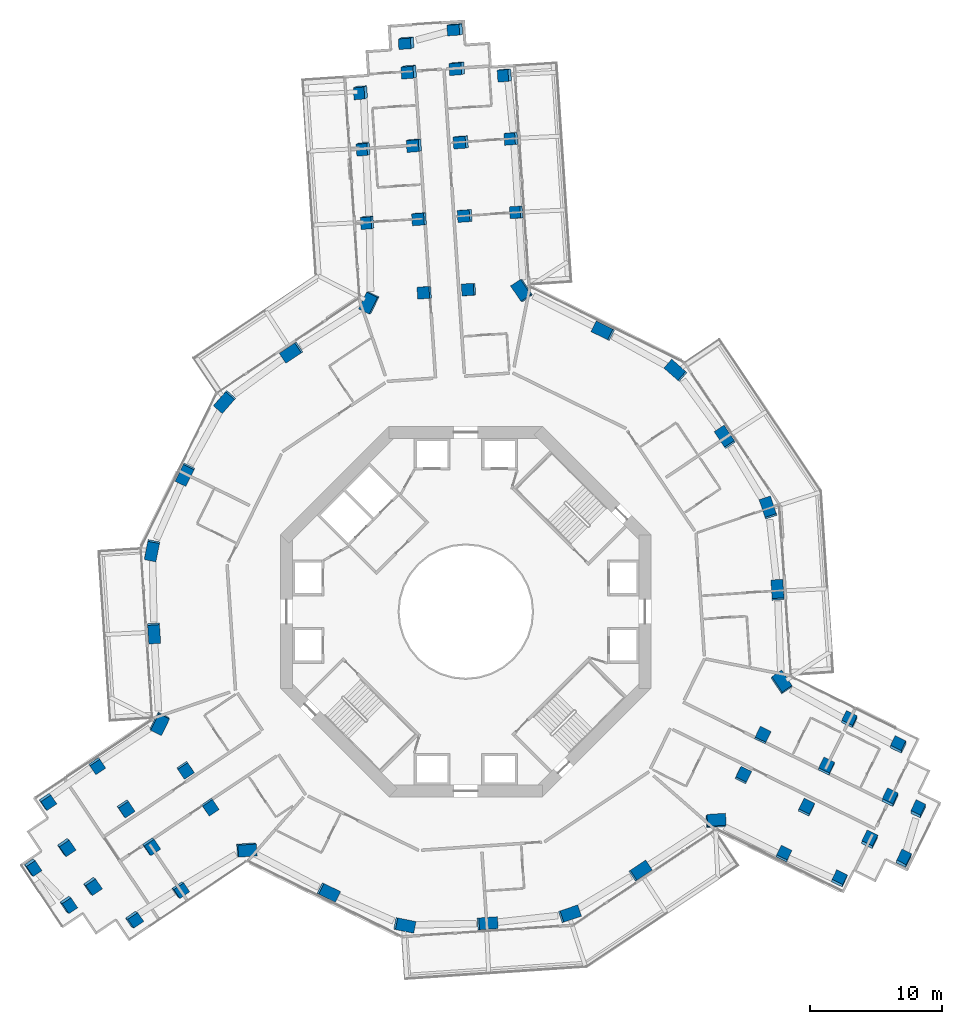
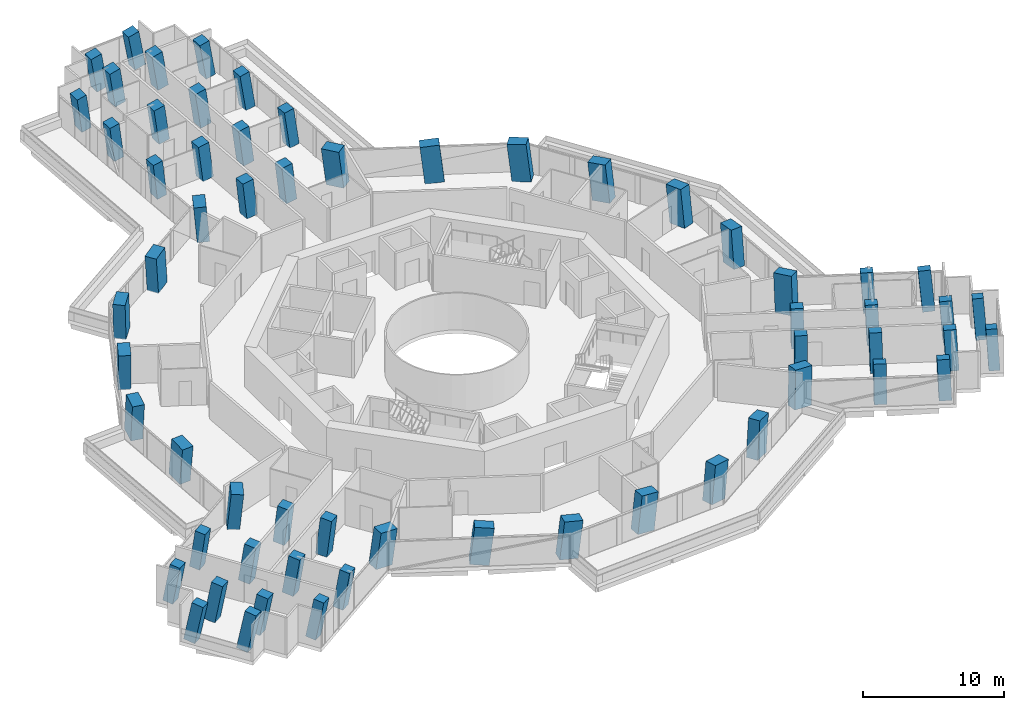
# One storey, part 1 of 25: 61 columns.
"""IFC4 building model written with IfcOpenShell, lengths in metres."""

from ifc_helpers import new_model, si_unit, direction, frame, origin, origin_2d, place, context, subcontext, project, spatial, rectangle, extrude, material, material_profile, profile_set, type_object, element, save


model = new_model("IFC4")

# Units and contexts
model_context = context("Model", 3, precision=1e-05, world=origin(), true_north=direction((0.0, 1.0)))
body_context = subcontext(model_context, "Body", "Model", "MODEL_VIEW")
ifc_project = project(units=[si_unit("LENGTHUNIT", "METRE"), si_unit("AREAUNIT", "SQUARE_METRE"), si_unit("VOLUMEUNIT", "CUBIC_METRE"), si_unit("PLANEANGLEUNIT", "RADIAN"), si_unit("MASSUNIT", "GRAM", prefix="KILO")], contexts=[model_context])

# Site, building, storey
site_placement = place(None, origin())
site = spatial("IfcSite", under=ifc_project, at=site_placement, CompositionType="ELEMENT")
building_placement = place(site_placement, origin())
building = spatial("IfcBuilding", under=site, at=building_placement, Name="Verdalira Terraces Hotel", CompositionType="ELEMENT")
storey_placement = place(building_placement, frame((0.0, 0.0, 49.5)))
storey = spatial("IfcBuildingStorey", under=building, at=storey_placement, Name="L10", CompositionType="ELEMENT", Elevation=49.5)

# Columns
ifc_material_1 = material(Name="Concrete C80", Category="concrete")
ifc_material_profile_1 = material_profile(ifc_material_1, rectangle(XDim=1.399902, YDim=0.899902, at=origin_2d()), Name="RC 1400X900")
ifc_profile_set_1 = profile_set([ifc_material_profile_1], Name="Concrete C80")
column_type_1 = type_object("IfcColumnType", Name="Column RC 1400X900 C80", PredefinedType="COLUMN", material=ifc_profile_set_1)
column_1_placement = place(storey_placement, frame((-7.26001, 23.351074, 0.0), z_axis=(-0.110754339, -0.035423145, 0.99321633), x_axis=(0.433595077, 0.897517403, 0.080360565)))
element("IfcColumn", 1, at=column_1_placement, inside=storey, type_object=column_type_1, Name="Column C07", PredefinedType="COLUMN", context=body_context, shape_type="SweptSolid", body=[
    extrude(rectangle(XDim=1.399902, YDim=0.899902, at=origin_2d()), origin(), (0.0, 0.0, 1.0), 3.21167),
])
column_2_placement = place(storey_placement, frame((-13.146973, 19.608887, 0.0), z_axis=(-0.092706042, -0.063274346, 0.993681009), x_axis=(-0.825459696, -0.553189961, -0.112237059)))
element("IfcColumn", 2, at=column_2_placement, inside=storey, type_object=column_type_1, Name="Column C08", PredefinedType="COLUMN", context=body_context, shape_type="SweptSolid", body=[
    extrude(rectangle(XDim=1.399902, YDim=0.899902, at=origin_2d()), origin(), (0.0, 0.0, 1.0), 3.210205),
])
column_3_placement = place(storey_placement, frame((-18.182861, 15.895508, 0.0), z_axis=(-0.07488732, -0.087127785, 0.993378396), x_axis=(0.653882627, 0.747822899, 0.114884389)))
element("IfcColumn", 3, at=column_3_placement, inside=storey, type_object=column_type_1, Name="Column C09", PredefinedType="COLUMN", context=body_context, shape_type="SweptSolid", body=[
    extrude(rectangle(XDim=1.399902, YDim=0.899902, at=origin_2d()), origin(), (0.0, 0.0, 1.0), 3.211182),
])
column_4_placement = place(storey_placement, frame((-21.189941, 10.408447, 0.0), z_axis=(-0.048672155, -0.101222872, 0.993672457), x_axis=(-0.438188759, -0.891838808, -0.11231274)))
element("IfcColumn", 4, at=column_4_placement, inside=storey, type_object=column_type_1, Name="Column C10", PredefinedType="COLUMN", context=body_context, shape_type="SweptSolid", body=[
    extrude(rectangle(XDim=1.399902, YDim=0.899902, at=origin_2d()), origin(), (0.0, 0.0, 1.0), 3.210205),
])
column_5_placement = place(storey_placement, frame((-23.69458, 4.674561, 0.0), z_axis=(-0.021287761, -0.11290116, 0.993378155), x_axis=(0.192341107, 0.974579908, 0.114886474)))
element("IfcColumn", 5, at=column_5_placement, inside=storey, type_object=column_type_1, Name="Column C11", PredefinedType="COLUMN", context=body_context, shape_type="SweptSolid", body=[
    extrude(rectangle(XDim=1.399902, YDim=0.899902, at=origin_2d()), origin(), (0.0, 0.0, 1.0), 3.211182),
])
column_6_placement = place(storey_placement, frame((-23.55542, -1.581055, 0.0), z_axis=(0.008441555, -0.112021718, 0.993669902), x_axis=(0.066257297, -0.991458896, -0.112335337)))
element("IfcColumn", 6, at=column_6_placement, inside=storey, type_object=column_type_1, Name="Column C12", PredefinedType="COLUMN", context=body_context, shape_type="SweptSolid", body=[
    extrude(rectangle(XDim=1.399902, YDim=0.899902, at=origin_2d()), origin(), (0.0, 0.0, 1.0), 3.210205),
])
column_7_placement = place(storey_placement, frame((-23.146729, -8.415283, 0.0), z_axis=(0.040968044, -0.109754835, 0.99311404), x_axis=(0.445471066, 0.891699641, 0.080170318)))
element("IfcColumn", 7, at=column_7_placement, inside=storey, type_object=column_type_1, Name="Column C13", PredefinedType="COLUMN", context=body_context, shape_type="SweptSolid", body=[
    extrude(rectangle(XDim=1.399902, YDim=0.899902, at=origin_2d()), origin(), (0.0, 0.0, 1.0), 3.212158),
])
column_8_placement = place(storey_placement, frame((-16.592529, -17.962891, 0.0), z_axis=(0.086049291, -0.078219718, 0.993215583), x_axis=(-0.994079328, -0.073128396, 0.080364969)))
element("IfcColumn", 8, at=column_8_placement, inside=storey, type_object=column_type_1, Name="Column C20", PredefinedType="COLUMN", context=body_context, shape_type="SweptSolid", body=[
    extrude(rectangle(XDim=1.399902, YDim=0.899902, at=origin_2d()), origin(), (0.0, 0.0, 1.0), 3.21167),
])
column_9_placement = place(storey_placement, frame((-10.408447, -21.189941, 0.0), z_axis=(0.101222872, -0.048672155, 0.993672457), x_axis=(0.891838808, -0.438188759, -0.11231274)))
element("IfcColumn", 9, at=column_9_placement, inside=storey, type_object=column_type_1, Name="Column C21", PredefinedType="COLUMN", context=body_context, shape_type="SweptSolid", body=[
    extrude(rectangle(XDim=1.399902, YDim=0.899902, at=origin_2d()), origin(), (0.0, 0.0, 1.0), 3.210205),
])
column_10_placement = place(storey_placement, frame((-4.674561, -23.69458, 0.0), z_axis=(0.11290116, -0.021287761, 0.993378155), x_axis=(-0.974579908, 0.192341107, 0.114886474)))
element("IfcColumn", 10, at=column_10_placement, inside=storey, type_object=column_type_1, Name="Column C22", PredefinedType="COLUMN", context=body_context, shape_type="SweptSolid", body=[
    extrude(rectangle(XDim=1.399902, YDim=0.899902, at=origin_2d()), origin(), (0.0, 0.0, 1.0), 3.211182),
])
column_11_placement = place(storey_placement, frame((1.581055, -23.55542, 0.0), z_axis=(0.112021718, 0.008441555, 0.993669902), x_axis=(0.991458896, 0.066257297, -0.112335337)))
element("IfcColumn", 11, at=column_11_placement, inside=storey, type_object=column_type_1, Name="Column C23", PredefinedType="COLUMN", context=body_context, shape_type="SweptSolid", body=[
    extrude(rectangle(XDim=1.399902, YDim=0.899902, at=origin_2d()), origin(), (0.0, 0.0, 1.0), 3.210205),
])
column_12_placement = place(storey_placement, frame((7.799072, -22.857422, 0.0), z_axis=(0.108415572, 0.038013875, 0.993378583), x_axis=(-0.940181145, -0.320720069, 0.114882776)))
element("IfcColumn", 12, at=column_12_placement, inside=storey, type_object=column_type_1, Name="Column C24", PredefinedType="COLUMN", context=body_context, shape_type="SweptSolid", body=[
    extrude(rectangle(XDim=1.399902, YDim=0.899902, at=origin_2d()), origin(), (0.0, 0.0, 1.0), 3.211182),
])
column_13_placement = place(storey_placement, frame((13.146973, -19.608887, 0.0), z_axis=(0.092706042, 0.063274346, 0.993681009), x_axis=(0.825459696, 0.553189961, -0.112237059)))
element("IfcColumn", 13, at=column_13_placement, inside=storey, type_object=column_type_1, Name="Column C25", PredefinedType="COLUMN", context=body_context, shape_type="SweptSolid", body=[
    extrude(rectangle(XDim=1.399902, YDim=0.899902, at=origin_2d()), origin(), (0.0, 0.0, 1.0), 3.210205),
])
column_14_placement = place(storey_placement, frame((18.861328, -15.837891, 0.0), z_axis=(0.074563781, 0.090297423, 0.993119639), x_axis=(-0.99499079, -0.059759997, 0.080137827)))
element("IfcColumn", 14, at=column_14_placement, inside=storey, type_object=column_type_1, Name="Column C26", PredefinedType="COLUMN", context=body_context, shape_type="SweptSolid", body=[
    extrude(rectangle(XDim=1.399902, YDim=0.899902, at=origin_2d()), origin(), (0.0, 0.0, 1.0), 3.212158),
])
column_15_placement = place(storey_placement, frame((23.852783, -5.388184, 0.0), z_axis=(0.024628968, 0.113642923, 0.993216341), x_axis=(0.560989049, -0.823913514, 0.080360497)))
element("IfcColumn", 15, at=column_15_placement, inside=storey, type_object=column_type_1, Name="Column C33", PredefinedType="COLUMN", context=body_context, shape_type="SweptSolid", body=[
    extrude(rectangle(XDim=1.399902, YDim=0.899902, at=origin_2d()), origin(), (0.0, 0.0, 1.0), 3.21167),
])
column_16_placement = place(storey_placement, frame((23.55542, 1.581055, 0.0), z_axis=(-0.008441555, 0.112021718, 0.993669902), x_axis=(-0.066257297, 0.991458896, -0.112335337)))
element("IfcColumn", 16, at=column_16_placement, inside=storey, type_object=column_type_1, Name="Column C34", PredefinedType="COLUMN", context=body_context, shape_type="SweptSolid", body=[
    extrude(rectangle(XDim=1.399902, YDim=0.899902, at=origin_2d()), origin(), (0.0, 0.0, 1.0), 3.210205),
])
column_17_placement = place(storey_placement, frame((22.857422, 7.799072, 0.0), z_axis=(-0.038013875, 0.108415572, 0.993378583), x_axis=(0.320720069, -0.940181145, 0.114882776)))
element("IfcColumn", 17, at=column_17_placement, inside=storey, type_object=column_type_1, Name="Column C35", PredefinedType="COLUMN", context=body_context, shape_type="SweptSolid", body=[
    extrude(rectangle(XDim=1.399902, YDim=0.899902, at=origin_2d()), origin(), (0.0, 0.0, 1.0), 3.211182),
])
column_18_placement = place(storey_placement, frame((19.608887, 13.146973, 0.0), z_axis=(-0.063274346, 0.092706042, 0.993681009), x_axis=(-0.553189961, 0.825459696, -0.112237059)))
element("IfcColumn", 18, at=column_18_placement, inside=storey, type_object=column_type_1, Name="Column C36", PredefinedType="COLUMN", context=body_context, shape_type="SweptSolid", body=[
    extrude(rectangle(XDim=1.399902, YDim=0.899902, at=origin_2d()), origin(), (0.0, 0.0, 1.0), 3.210205),
])
column_19_placement = place(storey_placement, frame((15.895508, 18.182861, 0.0), z_axis=(-0.087127785, 0.07488732, 0.993378396), x_axis=(0.747822899, -0.653882627, 0.114884389)))
element("IfcColumn", 19, at=column_19_placement, inside=storey, type_object=column_type_1, Name="Column C37", PredefinedType="COLUMN", context=body_context, shape_type="SweptSolid", body=[
    extrude(rectangle(XDim=1.399902, YDim=0.899902, at=origin_2d()), origin(), (0.0, 0.0, 1.0), 3.211182),
])
column_20_placement = place(storey_placement, frame((10.408447, 21.189941, 0.0), z_axis=(-0.101222872, 0.048672155, 0.993672457), x_axis=(-0.891838808, 0.438188759, -0.11231274)))
element("IfcColumn", 20, at=column_20_placement, inside=storey, type_object=column_type_1, Name="Column C38", PredefinedType="COLUMN", context=body_context, shape_type="SweptSolid", body=[
    extrude(rectangle(XDim=1.399902, YDim=0.899902, at=origin_2d()), origin(), (0.0, 0.0, 1.0), 3.210205),
])
column_21_placement = place(storey_placement, frame((4.2854, 24.253418, 0.0), z_axis=(-0.115456489, 0.019382097, 0.993123423), x_axis=(0.549525351, -0.831626922, 0.080115864)))
element("IfcColumn", 21, at=column_21_placement, inside=storey, type_object=column_type_1, Name="Column C39", PredefinedType="COLUMN", context=body_context, shape_type="SweptSolid", body=[
    extrude(rectangle(XDim=1.399902, YDim=0.899902, at=origin_2d()), origin(), (0.0, 0.0, 1.0), 3.211914),
])
ifc_material_2 = material(Name="Concrete C80", Category="concrete")
ifc_material_profile_2 = material_profile(ifc_material_2, rectangle(XDim=0.899902, YDim=0.800049, at=origin_2d()), Name="RC 900X800")
ifc_profile_set_2 = profile_set([ifc_material_profile_2], Name="Concrete C80")
column_type_2 = type_object("IfcColumnType", Name="Column RC 900X800 C80", PredefinedType="COLUMN", material=ifc_profile_set_2)
column_22_placement = place(storey_placement, frame((3.888184, 30.169678, 0.0), z_axis=(-0.141378211, -0.003182146, 0.989950542), x_axis=(-0.066245791, 0.997783739, -0.006253462)))
element("IfcColumn", 22, at=column_22_placement, inside=storey, type_object=column_type_2, Name="Column C01", PredefinedType="COLUMN", context=body_context, shape_type="SweptSolid", body=[
    extrude(rectangle(XDim=0.899902, YDim=0.800049, at=origin_2d()), origin(), (0.0, 0.0, 1.0), 3.222412),
])
column_23_placement = place(storey_placement, frame((3.514404, 35.740479, 0.0), z_axis=(-0.16539803, -0.025428438, 0.985899024), x_axis=(-0.069309244, 0.997495574, 0.014099965)))
element("IfcColumn", 23, at=column_23_placement, inside=storey, type_object=column_type_2, Name="Column C02", PredefinedType="COLUMN", context=body_context, shape_type="SweptSolid", body=[
    extrude(rectangle(XDim=0.899902, YDim=0.800049, at=origin_2d()), origin(), (0.0, 0.0, 1.0), 3.235596),
])
column_24_placement = place(storey_placement, frame((3.031738, 40.541992, 0.0), z_axis=(-0.185536283, -0.047999063, 0.981464405), x_axis=(-0.073598719, 0.996679535, 0.034830047)))
element("IfcColumn", 24, at=column_24_placement, inside=storey, type_object=column_type_2, Name="Column C03", PredefinedType="COLUMN", context=body_context, shape_type="SweptSolid", body=[
    extrude(rectangle(XDim=0.899902, YDim=0.800049, at=origin_2d()), origin(), (0.0, 0.0, 1.0), 3.250244),
])
column_25_placement = place(storey_placement, frame((-7.847656, 39.270508, 0.0), z_axis=(-0.178617656, -0.098749191, 0.978950627), x_axis=(0.082596476, -0.992943836, -0.085090309)))
element("IfcColumn", 25, at=column_25_placement, inside=storey, type_object=column_type_2, Name="Column C04", PredefinedType="COLUMN", context=body_context, shape_type="SweptSolid", body=[
    extrude(rectangle(XDim=0.899902, YDim=0.800049, at=origin_2d()), origin(), (0.0, 0.0, 1.0), 3.258545),
])
column_26_placement = place(storey_placement, frame((-7.6604, 34.990234, 0.0), z_axis=(-0.161138739, -0.077933923, 0.983849892), x_axis=(0.077576177, -0.994793135, -0.066095046)))
element("IfcColumn", 26, at=column_26_placement, inside=storey, type_object=column_type_2, Name="Column C05", PredefinedType="COLUMN", context=body_context, shape_type="SweptSolid", body=[
    extrude(rectangle(XDim=0.899902, YDim=0.800049, at=origin_2d()), origin(), (0.0, 0.0, 1.0), 3.242188),
])
column_27_placement = place(storey_placement, frame((-7.376465, 29.413574, 0.0), z_axis=(-0.137221025, -0.056462705, 0.988929903), x_axis=(0.073632546, -0.996193284, -0.046660369)))
element("IfcColumn", 27, at=column_27_placement, inside=storey, type_object=column_type_2, Name="Column C06", PredefinedType="COLUMN", context=body_context, shape_type="SweptSolid", body=[
    extrude(rectangle(XDim=0.899902, YDim=0.800049, at=origin_2d()), origin(), (0.0, 0.0, 1.0), 3.225586),
])
column_28_placement = place(storey_placement, frame((-27.898682, -11.601562, 0.0), z_axis=(0.081310577, -0.114198546, 0.990124882), x_axis=(-0.830123338, -0.55756643, 0.003862676)))
element("IfcColumn", 28, at=column_28_placement, inside=storey, type_object=column_type_2, Name="Column C14", PredefinedType="COLUMN", context=body_context, shape_type="SweptSolid", body=[
    extrude(rectangle(XDim=0.899902, YDim=0.800049, at=origin_2d()), origin(), (0.0, 0.0, 1.0), 3.22168),
])
column_29_placement = place(storey_placement, frame((-31.642578, -14.304199, 0.0), z_axis=(0.118970942, -0.113913167, 0.986341576), x_axis=(-0.826928521, -0.561221279, 0.03492702)))
element("IfcColumn", 29, at=column_29_placement, inside=storey, type_object=column_type_2, Name="Column C15", PredefinedType="COLUMN", context=body_context, shape_type="SweptSolid", body=[
    extrude(rectangle(XDim=0.899902, YDim=0.800049, at=origin_2d()), origin(), (0.0, 0.0, 1.0), 3.234131),
])
column_30_placement = place(storey_placement, frame((-32.780762, -19.269043, 0.0), z_axis=(0.14200106, -0.118685208, 0.982725557), x_axis=(0.540302255, -0.822555745, -0.177413411)))
element("IfcColumn", 30, at=column_30_placement, inside=storey, type_object=column_type_2, Name="Column C16", PredefinedType="COLUMN", context=body_context, shape_type="SweptSolid", body=[
    extrude(rectangle(XDim=0.899902, YDim=0.800049, at=origin_2d()), origin(), (0.0, 0.0, 1.0), 3.246094),
])
column_31_placement = place(storey_placement, frame((-30.093994, -22.091064, 0.0), z_axis=(0.155009264, -0.105845317, 0.9822265), x_axis=(0.538066576, -0.824790784, -0.173794482)))
element("IfcColumn", 31, at=column_31_placement, inside=storey, type_object=column_type_2, Name="Column C17", PredefinedType="COLUMN", context=body_context, shape_type="SweptSolid", body=[
    extrude(rectangle(XDim=0.899902, YDim=0.800049, at=origin_2d()), origin(), (0.0, 0.0, 1.0), 3.247559),
])
column_32_placement = place(storey_placement, frame((-25.129395, -23.229004, 0.0), z_axis=(0.160491766, -0.082579487, 0.983576647), x_axis=(0.81958914, 0.566433756, -0.086176811)))
element("IfcColumn", 32, at=column_32_placement, inside=storey, type_object=column_type_2, Name="Column C18", PredefinedType="COLUMN", context=body_context, shape_type="SweptSolid", body=[
    extrude(rectangle(XDim=0.899902, YDim=0.800049, at=origin_2d()), origin(), (0.0, 0.0, 1.0), 3.243164),
])
column_33_placement = place(storey_placement, frame((-21.606201, -20.987305, 0.0), z_axis=(0.125366404, -0.083905457, 0.988556088), x_axis=(0.824649594, 0.562783566, -0.056812904)))
element("IfcColumn", 33, at=column_33_placement, inside=storey, type_object=column_type_2, Name="Column C19", PredefinedType="COLUMN", context=body_context, shape_type="SweptSolid", body=[
    extrude(rectangle(XDim=0.899902, YDim=0.800049, at=origin_2d()), origin(), (0.0, 0.0, 1.0), 3.226807),
])
column_34_placement = place(storey_placement, frame((23.996582, -18.360352, 0.0), z_axis=(0.058273597, 0.127535063, 0.990120697), x_axis=(0.897867093, -0.440249652, 0.003863491)))
element("IfcColumn", 34, at=column_34_placement, inside=storey, type_object=column_type_2, Name="Column C27", PredefinedType="COLUMN", context=body_context, shape_type="SweptSolid", body=[
    extrude(rectangle(XDim=0.899902, YDim=0.800049, at=origin_2d()), origin(), (0.0, 0.0, 1.0), 3.22168),
])
column_35_placement = place(storey_placement, frame((28.209229, -20.251221, 0.0), z_axis=(0.039178558, 0.160035729, 0.986333415), x_axis=(0.899494615, -0.435532796, 0.034937381)))
element("IfcColumn", 35, at=column_35_placement, inside=storey, type_object=column_type_2, Name="Column C28", PredefinedType="COLUMN", context=body_context, shape_type="SweptSolid", body=[
    extrude(rectangle(XDim=0.899902, YDim=0.800049, at=origin_2d()), origin(), (0.0, 0.0, 1.0), 3.234131),
])
column_36_placement = place(storey_placement, frame((33.077881, -18.754395, 0.0), z_axis=(0.031739713, 0.182315316, 0.982727692), x_axis=(0.441999799, 0.87929774, -0.177402544)))
element("IfcColumn", 36, at=column_36_placement, inside=storey, type_object=column_type_2, Name="Column C29", PredefinedType="COLUMN", context=body_context, shape_type="SweptSolid", body=[
    extrude(rectangle(XDim=0.899902, YDim=0.800049, at=origin_2d()), origin(), (0.0, 0.0, 1.0), 3.246094),
])
column_37_placement = place(storey_placement, frame((34.178467, -15.016846, 0.0), z_axis=(0.014132511, 0.187255772, 0.982209523), x_axis=(0.445094443, 0.878440563, -0.173876718)))
element("IfcColumn", 37, at=column_37_placement, inside=storey, type_object=column_type_2, Name="Column C30", PredefinedType="COLUMN", context=body_context, shape_type="SweptSolid", body=[
    extrude(rectangle(XDim=0.899902, YDim=0.800049, at=origin_2d()), origin(), (0.0, 0.0, 1.0), 3.247803),
])
column_38_placement = place(storey_placement, frame((32.681641, -10.148193, 0.0), z_axis=(-0.0087323, 0.180216602, 0.983588188), x_axis=(-0.900353624, 0.426546697, -0.086146779)))
element("IfcColumn", 38, at=column_38_placement, inside=storey, type_object=column_type_2, Name="Column C31", PredefinedType="COLUMN", context=body_context, shape_type="SweptSolid", body=[
    extrude(rectangle(XDim=0.899902, YDim=0.800049, at=origin_2d()), origin(), (0.0, 0.0, 1.0), 3.243164),
])
column_39_placement = place(storey_placement, frame((28.978516, -8.217773, 0.0), z_axis=(0.009987, 0.150485935, 0.988561704), x_axis=(-0.899685419, 0.432827929, -0.056799041)))
element("IfcColumn", 39, at=column_39_placement, inside=storey, type_object=column_type_2, Name="Column C32", PredefinedType="COLUMN", context=body_context, shape_type="SweptSolid", body=[
    extrude(rectangle(XDim=0.899902, YDim=0.800049, at=origin_2d()), origin(), (0.0, 0.0, 1.0), 3.226807),
])
column_40_placement = place(storey_placement, frame((-0.698975, 44.01001, 0.0), z_axis=(-0.200858384, -0.065381835, 0.977435995), x_axis=(-0.977339154, -0.054677247, -0.204495909)))
element("IfcColumn", 40, at=column_40_placement, inside=storey, type_object=column_type_2, Name="Column C40", PredefinedType="COLUMN", context=body_context, shape_type="SweptSolid", body=[
    extrude(rectangle(XDim=0.899902, YDim=0.800049, at=origin_2d()), origin(), (0.0, 0.0, 1.0), 3.263672),
])
column_41_placement = place(storey_placement, frame((-4.379639, 43.001221, 0.0), z_axis=(-0.19593553, -0.082562147, 0.977134975), x_axis=(-0.97833702, -0.051448422, -0.200523653)))
element("IfcColumn", 41, at=column_41_placement, inside=storey, type_object=column_type_2, Name="Column C41", PredefinedType="COLUMN", context=body_context, shape_type="SweptSolid", body=[
    extrude(rectangle(XDim=0.899902, YDim=0.800049, at=origin_2d()), origin(), (0.0, 0.0, 1.0), 3.264648),
])
ifc_material_3 = material(Name="Concrete C80", Category="concrete")
ifc_material_profile_3 = material_profile(ifc_material_3, rectangle(XDim=0.899902, YDim=0.899902, at=origin_2d()), Name="RC 900X900")
ifc_profile_set_3 = profile_set([ifc_material_profile_3], Name="Concrete C80")
column_type_3 = type_object("IfcColumnType", Name="Column RC 900X900 C80", PredefinedType="COLUMN", material=ifc_profile_set_3)
for number, where, z_axis, x_axis, name in (
    (42, (0.277588, 24.331543, 0.0), (-0.11570319, 0.000380102, 0.99328376), (-0.065780406, 0.997801697, -0.008044297), "Column C42"),
    (43, (-3.071289, 24.106689, 0.0), (-0.114564155, -0.015508353, 0.993294793), (-0.067324919, 0.99770052, 0.007812051), "Column C43"),
):
    element("IfcColumn", number, at=place(storey_placement, frame(where, z_axis=z_axis, x_axis=x_axis)), inside=storey, type_object=column_type_3, Name=name, PredefinedType="COLUMN", context=body_context, shape_type="SweptSolid", body=[
        extrude(rectangle(XDim=0.899902, YDim=0.899902, at=origin_2d()), origin(), (0.0, 0.0, 1.0), 3.211426),
    ])
column_42_placement = place(storey_placement, frame((-0.000977, 29.908691, 0.0), z_axis=(-0.140009368, -0.021592354, 0.989914717), x_axis=(-0.06878046, 0.997559272, 0.012031081)))
element("IfcColumn", 44, at=column_42_placement, inside=storey, type_object=column_type_3, Name="Column C44", PredefinedType="COLUMN", context=body_context, shape_type="SweptSolid", body=[
    extrude(rectangle(XDim=0.899902, YDim=0.899902, at=origin_2d()), origin(), (0.0, 0.0, 1.0), 3.222412),
])
column_43_placement = place(storey_placement, frame((-3.445312, 29.67749, 0.0), z_axis=(-0.13875341, -0.03786938, 0.989602648), x_axis=(-0.070866168, 0.997086578, 0.028219537)))
element("IfcColumn", 45, at=column_43_placement, inside=storey, type_object=column_type_3, Name="Column C45", PredefinedType="COLUMN", context=body_context, shape_type="SweptSolid", body=[
    extrude(rectangle(XDim=0.899902, YDim=0.899902, at=origin_2d()), origin(), (0.0, 0.0, 1.0), 3.223389),
])
column_44_placement = place(storey_placement, frame((-0.279541, 35.485596, 0.0), z_axis=(-0.163975747, -0.043294424, 0.985513849), x_axis=(-0.07220614, 0.996883302, 0.0317798)))
element("IfcColumn", 46, at=column_44_placement, inside=storey, type_object=column_type_3, Name="Column C46", PredefinedType="COLUMN", context=body_context, shape_type="SweptSolid", body=[
    extrude(rectangle(XDim=0.899902, YDim=0.899902, at=origin_2d()), origin(), (0.0, 0.0, 1.0), 3.236816),
])
column_45_placement = place(storey_placement, frame((-3.819092, 35.248047, 0.0), z_axis=(-0.162661052, -0.059923789, 0.984860661), x_axis=(-0.074728795, 0.996035363, 0.048261394)))
element("IfcColumn", 47, at=column_45_placement, inside=storey, type_object=column_type_3, Name="Column C47", PredefinedType="COLUMN", context=body_context, shape_type="SweptSolid", body=[
    extrude(rectangle(XDim=0.899902, YDim=0.899902, at=origin_2d()), origin(), (0.0, 0.0, 1.0), 3.239014),
])
column_46_placement = place(storey_placement, frame((-0.558105, 41.062744, 0.0), z_axis=(-0.187533048, -0.064736408, 0.980122724), x_axis=(-0.076631345, 0.995748863, 0.051106146)))
element("IfcColumn", 48, at=column_46_placement, inside=storey, type_object=column_type_3, Name="Column C48", PredefinedType="COLUMN", context=body_context, shape_type="SweptSolid", body=[
    extrude(rectangle(XDim=0.899902, YDim=0.899902, at=origin_2d()), origin(), (0.0, 0.0, 1.0), 3.254639),
])
column_47_placement = place(storey_placement, frame((-4.193115, 40.818848, 0.0), z_axis=(-0.186069039, -0.081756472, 0.979129303), x_axis=(-0.080065475, 0.994479546, 0.067822946)))
element("IfcColumn", 49, at=column_47_placement, inside=storey, type_object=column_type_3, Name="Column C49", PredefinedType="COLUMN", context=body_context, shape_type="SweptSolid", body=[
    extrude(rectangle(XDim=0.899902, YDim=0.899902, at=origin_2d()), origin(), (0.0, 0.0, 1.0), 3.258057),
])
for number, where, z_axis, x_axis, name in (
    (50, (-21.210449, -11.925293, 0.0), (0.05754725, -0.100422612, 0.993279222), (-0.831201291, -0.555913357, -0.008047005), "Column C50"),
    (51, (-19.341309, -14.713135, 0.0), (0.070700449, -0.091378429, 0.993303292), (-0.830174181, -0.55744944, 0.007807115), "Column C51"),
):
    element("IfcColumn", number, at=place(storey_placement, frame(where, z_axis=z_axis, x_axis=x_axis)), inside=storey, type_object=column_type_3, Name=name, PredefinedType="COLUMN", context=body_context, shape_type="SweptSolid", body=[
        extrude(rectangle(XDim=0.899902, YDim=0.899902, at=origin_2d()), origin(), (0.0, 0.0, 1.0), 3.211426),
    ])
column_48_placement = place(storey_placement, frame((-25.726807, -14.841309, 0.0), z_axis=(0.096595654, -0.103792978, 0.989897115), x_axis=(-0.828464756, -0.559602323, 0.022167257)))
element("IfcColumn", 52, at=column_48_placement, inside=storey, type_object=column_type_3, Name="Column C52", PredefinedType="COLUMN", context=body_context, shape_type="SweptSolid", body=[
    extrude(rectangle(XDim=0.899902, YDim=0.899902, at=origin_2d()), origin(), (0.0, 0.0, 1.0), 3.222412),
])
column_49_placement = place(storey_placement, frame((-23.805664, -17.706299, 0.0), z_axis=(0.109953104, -0.094580873, 0.989426487), x_axis=(-0.827169741, -0.560643476, 0.038329004)))
element("IfcColumn", 53, at=column_49_placement, inside=storey, type_object=column_type_3, Name="Column C53", PredefinedType="COLUMN", context=body_context, shape_type="SweptSolid", body=[
    extrude(rectangle(XDim=0.899902, YDim=0.899902, at=origin_2d()), origin(), (0.0, 0.0, 1.0), 3.224121),
])
column_50_placement = place(storey_placement, frame((-30.24292, -17.756836, 0.0), z_axis=(0.135097034, -0.107052337, 0.985032278), x_axis=(-0.824596516, -0.563338321, 0.051870239)))
element("IfcColumn", 54, at=column_50_placement, inside=storey, type_object=column_type_3, Name="Column C54", PredefinedType="COLUMN", context=body_context, shape_type="SweptSolid", body=[
    extrude(rectangle(XDim=0.899902, YDim=0.899902, at=origin_2d()), origin(), (0.0, 0.0, 1.0), 3.238525),
])
column_51_placement = place(storey_placement, frame((-28.27002, -20.699463, 0.0), z_axis=(0.148745351, -0.097531762, 0.984054051), x_axis=(-0.822232105, -0.565041467, 0.068282543)))
element("IfcColumn", 55, at=column_51_placement, inside=storey, type_object=column_type_3, Name="Column C55", PredefinedType="COLUMN", context=body_context, shape_type="SweptSolid", body=[
    extrude(rectangle(XDim=0.899902, YDim=0.899902, at=origin_2d()), origin(), (0.0, 0.0, 1.0), 3.241699),
])
for number, where, z_axis, x_axis, name in (
    (56, (20.933105, -12.406006, 0.0), (0.058080259, 0.099967985, 0.993294058), (0.897259829, -0.441429707, -0.008038148), "Column C56"),
    (57, (22.412598, -9.393555, 0.0), (0.043788447, 0.106962405, 0.993298352), (0.897907991, -0.440113898, 0.007809984), "Column C57"),
):
    element("IfcColumn", number, at=place(storey_placement, frame(where, z_axis=z_axis, x_axis=x_axis)), inside=storey, type_object=column_type_3, Name=name, PredefinedType="COLUMN", context=body_context, shape_type="SweptSolid", body=[
        extrude(rectangle(XDim=0.899902, YDim=0.899902, at=origin_2d()), origin(), (0.0, 0.0, 1.0), 3.211426),
    ])
column_52_placement = place(storey_placement, frame((25.716309, -14.859375, 0.0), z_axis=(0.041593024, 0.135537196, 0.989898828), x_axis=(0.898839508, -0.437717071, 0.022165387)))
element("IfcColumn", 58, at=column_52_placement, inside=storey, type_object=column_type_3, Name="Column C58", PredefinedType="COLUMN", context=body_context, shape_type="SweptSolid", body=[
    extrude(rectangle(XDim=0.899902, YDim=0.899902, at=origin_2d()), origin(), (0.0, 0.0, 1.0), 3.222412),
])
column_53_placement = place(storey_placement, frame((27.237061, -11.763184, 0.0), z_axis=(0.026882501, 0.142515119, 0.989427497), x_axis=(0.899266505, -0.435718694, 0.038327183)))
element("IfcColumn", 59, at=column_53_placement, inside=storey, type_object=column_type_3, Name="Column C59", PredefinedType="COLUMN", context=body_context, shape_type="SweptSolid", body=[
    extrude(rectangle(XDim=0.899902, YDim=0.899902, at=origin_2d()), origin(), (0.0, 0.0, 1.0), 3.224121),
])
column_54_placement = place(storey_placement, frame((30.499512, -17.3125, 0.0), z_axis=(0.025104859, 0.170456715, 0.985045306), x_axis=(0.900279143, -0.432214376, 0.05184783)))
element("IfcColumn", 60, at=column_54_placement, inside=storey, type_object=column_type_3, Name="Column C60", PredefinedType="COLUMN", context=body_context, shape_type="SweptSolid", body=[
    extrude(rectangle(XDim=0.899902, YDim=0.899902, at=origin_2d()), origin(), (0.0, 0.0, 1.0), 3.238281),
])
column_55_placement = place(storey_placement, frame((32.061279, -14.132812, 0.0), z_axis=(0.010092076, 0.177590415, 0.98405274), x_axis=(0.900457902, -0.429549392, 0.068285329)))
element("IfcColumn", 61, at=column_55_placement, inside=storey, type_object=column_type_3, Name="Column C61", PredefinedType="COLUMN", context=body_context, shape_type="SweptSolid", body=[
    extrude(rectangle(XDim=0.899902, YDim=0.899902, at=origin_2d()), origin(), (0.0, 0.0, 1.0), 3.241699),
])

save(model, "model.ifc")
